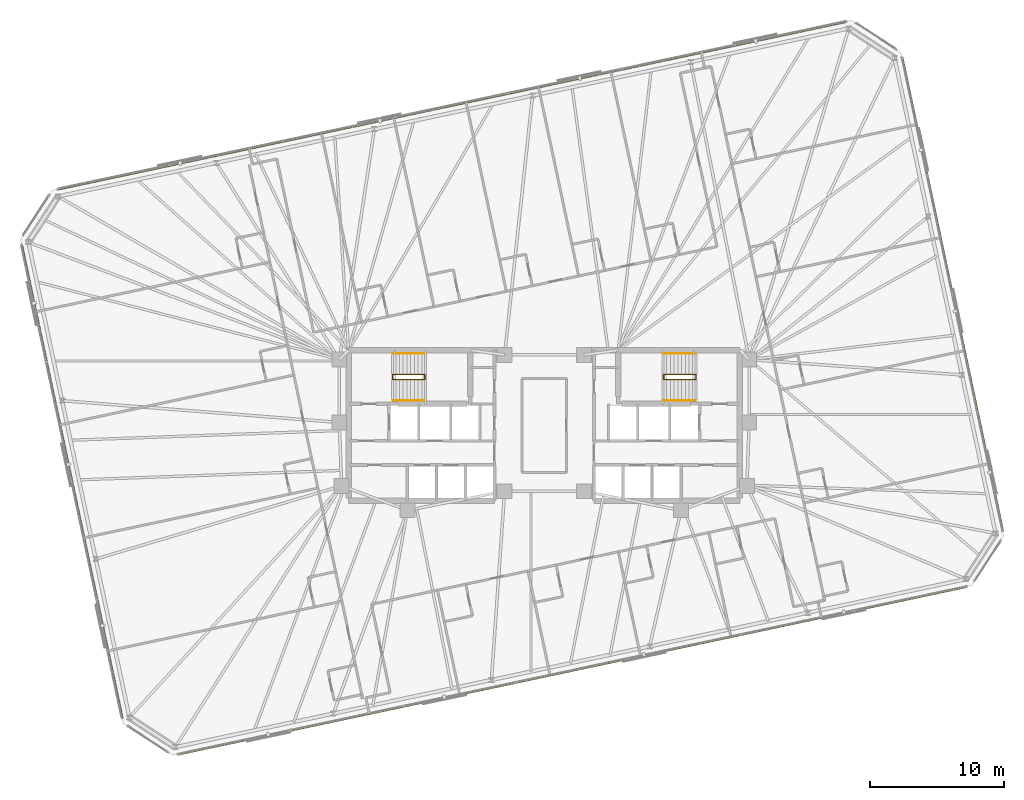
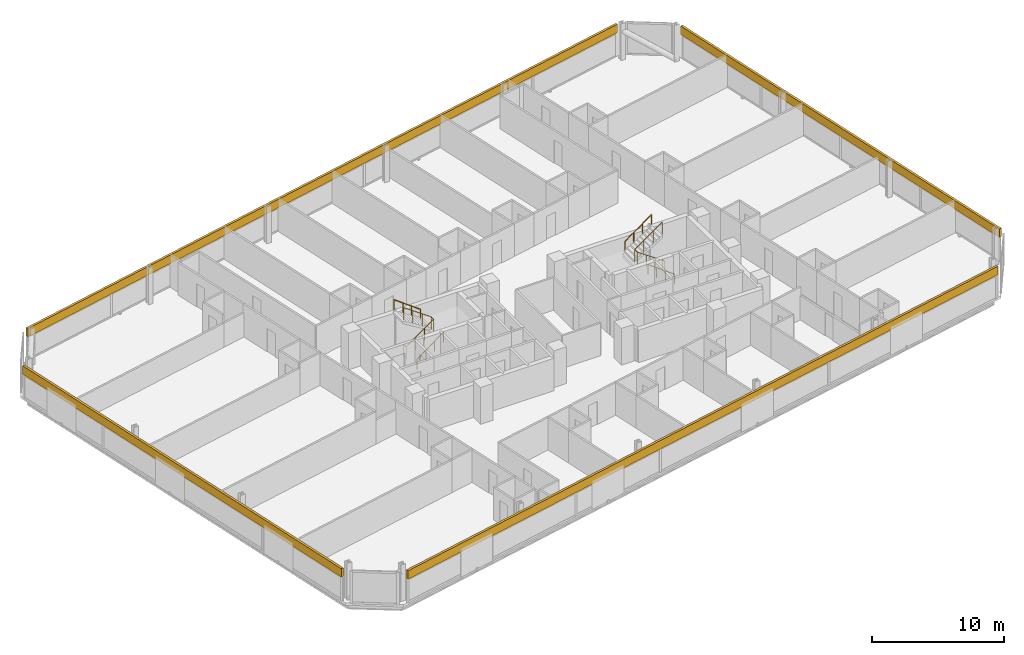
# One storey, part 20 of 20: 6 railings, 4 coverings.
"""IFC4 building model written with IfcOpenShell, lengths in metres."""

from ifc_helpers import new_model, si_unit, direction, frame, origin, origin_2d, place, context, subcontext, project, spatial, polyline, circle, outline, extrude, material, layer, layer_set, type_object, element, save


model = new_model("IFC4")

# Units and contexts
model_context = context("Model", 3, precision=1e-05, world=origin(), true_north=direction((0.0, 1.0)))
body_context = subcontext(model_context, "Body", "Model", "MODEL_VIEW")
ifc_project = project(units=[si_unit("LENGTHUNIT", "METRE"), si_unit("AREAUNIT", "SQUARE_METRE"), si_unit("VOLUMEUNIT", "CUBIC_METRE"), si_unit("PLANEANGLEUNIT", "RADIAN"), si_unit("MASSUNIT", "GRAM", prefix="KILO")], contexts=[model_context])

# Site, building, storey
site_placement = place(None, origin())
site = spatial("IfcSite", under=ifc_project, at=site_placement, CompositionType="ELEMENT")
building_placement = place(site_placement, origin())
building = spatial("IfcBuilding", under=site, at=building_placement, Name="Menara Jurai Vektor", CompositionType="ELEMENT")
storey_placement = place(building_placement, frame((0.0, 0.0, 199.0)))
storey = spatial("IfcBuildingStorey", under=building, at=storey_placement, Name="L52", CompositionType="ELEMENT", Elevation=199.0)

# Coverings
ifc_material_1 = material(Name="Insulated Pale Aluminium Spandrel Cladding", Category="aluminium")
ifc_layer = layer(ifc_material_1, 0.199951171875)
ifc_layer_set = layer_set([ifc_layer], Name="Insulated Pale Aluminium Spandrel Cladding")
covering_type = type_object("IfcCoveringType", Name="ENV-COV-SPANDREL", PredefinedType="CLADDING", material=ifc_layer_set)
covering_1_placement = place(storey_placement, frame((0.0, 0.0, 2.22509765625)))
element("IfcCovering", 1, at=covering_1_placement, inside=storey, type_object=covering_type, Name="Insulated Pale-Metal Spandrel Band L52 F01", PredefinedType="CLADDING", context=body_context, shape_type="SweptSolid", body=[
    extrude(outline(polyline([(-27.314697265625, -24.373779296875), (-27.273193359375, -24.569580078125), (31.454833984375, -12.08642578125), (31.413330078125, -11.890869140625), (-27.314697265625, -24.373779296875)])), origin(), (0.0, 0.0, 1.0), 0.77001953125),
])
covering_2_placement = place(storey_placement, frame((0.0, 0.0, 2.22509765625)))
element("IfcCovering", 2, at=covering_2_placement, inside=storey, type_object=covering_type, Name="Insulated Pale-Metal Spandrel Band L52 F03", PredefinedType="CLADDING", context=body_context, shape_type="SweptSolid", body=[
    extrude(outline(polyline([(34.0166015625, -7.882080078125), (34.21240234375, -7.84033203125), (26.71923828125, 27.412109375), (26.523681640625, 27.37060546875), (34.0166015625, -7.882080078125)])), origin(), (0.0, 0.0, 1.0), 0.77001953125),
])
covering_3_placement = place(storey_placement, frame((0.0, 0.0, 2.22509765625)))
element("IfcCovering", 3, at=covering_3_placement, inside=storey, type_object=covering_type, Name="Insulated Pale-Metal Spandrel Band L52 F05", PredefinedType="CLADDING", context=body_context, shape_type="SweptSolid", body=[
    extrude(outline(polyline([(22.5146484375, 29.973876953125), (22.47314453125, 30.16943359375), (-36.2548828125, 17.6865234375), (-36.21337890625, 17.490966796875), (22.5146484375, 29.973876953125)])), origin(), (0.0, 0.0, 1.0), 0.77001953125),
])
covering_4_placement = place(storey_placement, frame((0.0, 0.0, 2.22509765625)))
element("IfcCovering", 4, at=covering_4_placement, inside=storey, type_object=covering_type, Name="Insulated Pale-Metal Spandrel Band L52 F07", PredefinedType="CLADDING", context=body_context, shape_type="SweptSolid", body=[
    extrude(outline(polyline([(-38.816650390625, 13.48193359375), (-39.01220703125, 13.4404296875), (-31.519287109375, -21.81201171875), (-31.323486328125, -21.7705078125), (-38.816650390625, 13.48193359375)])), origin(), (0.0, 0.0, 1.0), 0.77001953125),
])

# Railings
ifc_material_2 = material(Name="Painted Galvanised Steel Balustrade", Category="steel")
railing_type_1 = type_object("IfcRailingType", Name="RAIL-STAIR-GUARD", PredefinedType="GUARDRAIL", material=ifc_material_2)
railing_1_placement = place(storey_placement, frame((-11.2900390625, 3.780029296875, 0.0)))
element("IfcRailing", 5, at=railing_1_placement, inside=storey, type_object=railing_type_1, Name="ST1 Stair Guardrail 1 L52", PredefinedType="GUARDRAIL", context=body_context, shape_type="SweptSolid", body=[
    extrude(circle(Radius=0.02392578125, at=origin_2d()), frame((0.0, 0.0, 1.1259765625), z_axis=(0.0, -1.0, 0.0), x_axis=(1.0, 0.0, 0.0)), (0.0, 0.0, 1.0), 0.360107421875),
    extrude(circle(Radius=0.02392578125, at=origin_2d()), frame((0.0, -0.360107421875, 1.1259765625), z_axis=(0.816048950856, 0.0, 0.577982793694), x_axis=(0.0, 1.0, 0.0)), (0.0, 0.0, 1.0), 2.941162109375),
    extrude(circle(Radius=0.02392578125, at=origin_2d()), frame((2.400146484375, -0.360107421875, 2.82568359375), z_axis=(0.0, 1.0, 0.0), x_axis=(-1.0, 0.0, 0.0)), (0.0, 0.0, 1.0), 0.360107421875),
    extrude(circle(Radius=0.02392578125, at=origin_2d()), frame((2.400146484375, 0.0, 2.82568359375), z_axis=(-0.816048950856, 0.0, 0.577982793694), x_axis=(0.0, -1.0, 0.0)), (0.0, 0.0, 1.0), 2.941162109375),
    extrude(circle(Radius=0.02099609375, at=origin_2d()), origin(), (0.0, 0.0, 1.0), 1.101806640625),
    extrude(circle(Radius=0.02099609375, at=origin_2d()), frame((0.0, -0.360107421875, 0.0)), (0.0, 0.0, 1.0), 1.101806640625),
    extrude(circle(Radius=0.02099609375, at=origin_2d()), frame((0.800048828125, -0.360107421875, 0.566650390625)), (0.0, 0.0, 1.0), 1.101806640625),
    extrude(circle(Radius=0.02099609375, at=origin_2d()), frame((1.60009765625, -0.360107421875, 1.13330078125)), (0.0, 0.0, 1.0), 1.101806640625),
    extrude(circle(Radius=0.02099609375, at=origin_2d()), frame((2.400146484375, -0.360107421875, 1.699951171875)), (0.0, 0.0, 1.0), 1.101806640625),
    extrude(circle(Radius=0.02099609375, at=origin_2d()), frame((2.400146484375, 0.0, 1.699951171875)), (0.0, 0.0, 1.0), 1.101806640625),
    extrude(circle(Radius=0.02099609375, at=origin_2d()), frame((1.60009765625, 0.0, 2.2666015625)), (0.0, 0.0, 1.0), 1.101806640625),
    extrude(circle(Radius=0.02099609375, at=origin_2d()), frame((0.800048828125, 0.0, 2.833251953125)), (0.0, 0.0, 1.0), 1.101806640625),
    extrude(circle(Radius=0.02099609375, at=origin_2d()), frame((0.0, 0.0, 3.39990234375)), (0.0, 0.0, 1.0), 1.101806640625),
])
railing_2_placement = place(storey_placement, frame((11.2900390625, 3.780029296875, 0.0)))
element("IfcRailing", 6, at=railing_2_placement, inside=storey, type_object=railing_type_1, Name="ST2 Stair Guardrail 1 L52", PredefinedType="GUARDRAIL", context=body_context, shape_type="SweptSolid", body=[
    extrude(circle(Radius=0.02392578125, at=origin_2d()), frame((0.0, 0.0, 1.1259765625), z_axis=(0.0, -1.0, 0.0), x_axis=(1.0, 0.0, 0.0)), (0.0, 0.0, 1.0), 0.360107421875),
    extrude(circle(Radius=0.02392578125, at=origin_2d()), frame((0.0, -0.360107421875, 1.1259765625), z_axis=(-0.816048950856, 0.0, 0.577982793694), x_axis=(0.0, -1.0, 0.0)), (0.0, 0.0, 1.0), 2.941162109375),
    extrude(circle(Radius=0.02392578125, at=origin_2d()), frame((-2.400146484375, -0.360107421875, 2.82568359375), z_axis=(0.0, 1.0, 0.0), x_axis=(-1.0, 0.0, 0.0)), (0.0, 0.0, 1.0), 0.360107421875),
    extrude(circle(Radius=0.02392578125, at=origin_2d()), frame((-2.400146484375, 0.0, 2.82568359375), z_axis=(0.816048950856, 0.0, 0.577982793694), x_axis=(0.0, 1.0, 0.0)), (0.0, 0.0, 1.0), 2.941162109375),
    extrude(circle(Radius=0.02099609375, at=origin_2d()), origin(), (0.0, 0.0, 1.0), 1.101806640625),
    extrude(circle(Radius=0.02099609375, at=origin_2d()), frame((0.0, -0.360107421875, 0.0)), (0.0, 0.0, 1.0), 1.101806640625),
    extrude(circle(Radius=0.02099609375, at=origin_2d()), frame((-0.800048828125, -0.360107421875, 0.566650390625)), (0.0, 0.0, 1.0), 1.101806640625),
    extrude(circle(Radius=0.02099609375, at=origin_2d()), frame((-1.60009765625, -0.360107421875, 1.13330078125)), (0.0, 0.0, 1.0), 1.101806640625),
    extrude(circle(Radius=0.02099609375, at=origin_2d()), frame((-2.400146484375, -0.360107421875, 1.699951171875)), (0.0, 0.0, 1.0), 1.101806640625),
    extrude(circle(Radius=0.02099609375, at=origin_2d()), frame((-2.400146484375, 0.0, 1.699951171875)), (0.0, 0.0, 1.0), 1.101806640625),
    extrude(circle(Radius=0.02099609375, at=origin_2d()), frame((-1.60009765625, 0.0, 2.2666015625)), (0.0, 0.0, 1.0), 1.101806640625),
    extrude(circle(Radius=0.02099609375, at=origin_2d()), frame((-0.800048828125, 0.0, 2.833251953125)), (0.0, 0.0, 1.0), 1.101806640625),
    extrude(circle(Radius=0.02099609375, at=origin_2d()), frame((0.0, 0.0, 3.39990234375)), (0.0, 0.0, 1.0), 1.101806640625),
])
ifc_material_3 = material(Name="Brushed Stainless Steel Handrail", Category="steel")
railing_type_2 = type_object("IfcRailingType", Name="RAIL-STAIR-HAND", PredefinedType="HANDRAIL", material=ifc_material_3)
railing_3_placement = place(storey_placement, frame((-11.25, 1.860107421875, 0.0)))
element("IfcRailing", 7, at=railing_3_placement, inside=storey, type_object=railing_type_2, Name="ST1 Stair Handrail 1 L52", PredefinedType="HANDRAIL", context=body_context, shape_type="SweptSolid", body=[
    extrude(circle(Radius=0.02392578125, at=origin_2d()), frame((0.0, 0.0, 0.89599609375), z_axis=(0.806642406755, 0.0, 0.591039785145), x_axis=(0.0, 1.0, 0.0)), (0.0, 0.0, 1.0), 2.876220703125),
    extrude(circle(Radius=0.02099609375, at=origin_2d()), origin(), (0.0, 0.0, 1.0), 0.871826171875),
    extrude(circle(Radius=0.02099609375, at=origin_2d()), frame((0.7734375, 0.0, 0.566650390625)), (0.0, 0.0, 1.0), 0.871826171875),
    extrude(circle(Radius=0.02099609375, at=origin_2d()), frame((1.546630859375, 0.0, 1.13330078125)), (0.0, 0.0, 1.0), 0.871826171875),
    extrude(circle(Radius=0.02099609375, at=origin_2d()), frame((2.320068359375, 0.0, 1.699951171875)), (0.0, 0.0, 1.0), 0.871826171875),
])
for number, where, name in (
    (8, (-8.929931640625, 5.340087890625, 1.699951171875), "ST1 Stair Handrail 2 L52"),
    (9, (11.25, 1.860107421875, 0.0), "ST2 Stair Handrail 1 L52"),
):
    element("IfcRailing", number, at=place(storey_placement, frame(where)), inside=storey, type_object=railing_type_2, Name=name, PredefinedType="HANDRAIL", context=body_context, shape_type="SweptSolid", body=[
        extrude(circle(Radius=0.02392578125, at=origin_2d()), frame((0.0, 0.0, 0.89599609375), z_axis=(-0.806642406755, 0.0, 0.591039785145), x_axis=(0.0, -1.0, 0.0)), (0.0, 0.0, 1.0), 2.876220703125),
        extrude(circle(Radius=0.02099609375, at=origin_2d()), origin(), (0.0, 0.0, 1.0), 0.871826171875),
        extrude(circle(Radius=0.02099609375, at=origin_2d()), frame((-0.7734375, 0.0, 0.566650390625)), (0.0, 0.0, 1.0), 0.871826171875),
        extrude(circle(Radius=0.02099609375, at=origin_2d()), frame((-1.546630859375, 0.0, 1.13330078125)), (0.0, 0.0, 1.0), 0.871826171875),
        extrude(circle(Radius=0.02099609375, at=origin_2d()), frame((-2.320068359375, 0.0, 1.699951171875)), (0.0, 0.0, 1.0), 0.871826171875),
    ])
railing_4_placement = place(storey_placement, frame((8.929931640625, 5.340087890625, 1.699951171875)))
element("IfcRailing", 10, at=railing_4_placement, inside=storey, type_object=railing_type_2, Name="ST2 Stair Handrail 2 L52", PredefinedType="HANDRAIL", context=body_context, shape_type="SweptSolid", body=[
    extrude(circle(Radius=0.02392578125, at=origin_2d()), frame((0.0, 0.0, 0.89599609375), z_axis=(0.806642406755, 0.0, 0.591039785145), x_axis=(0.0, 1.0, 0.0)), (0.0, 0.0, 1.0), 2.876220703125),
    extrude(circle(Radius=0.02099609375, at=origin_2d()), origin(), (0.0, 0.0, 1.0), 0.871826171875),
    extrude(circle(Radius=0.02099609375, at=origin_2d()), frame((0.7734375, 0.0, 0.566650390625)), (0.0, 0.0, 1.0), 0.871826171875),
    extrude(circle(Radius=0.02099609375, at=origin_2d()), frame((1.546630859375, 0.0, 1.13330078125)), (0.0, 0.0, 1.0), 0.871826171875),
    extrude(circle(Radius=0.02099609375, at=origin_2d()), frame((2.320068359375, 0.0, 1.699951171875)), (0.0, 0.0, 1.0), 0.871826171875),
])

save(model, "model.ifc")
